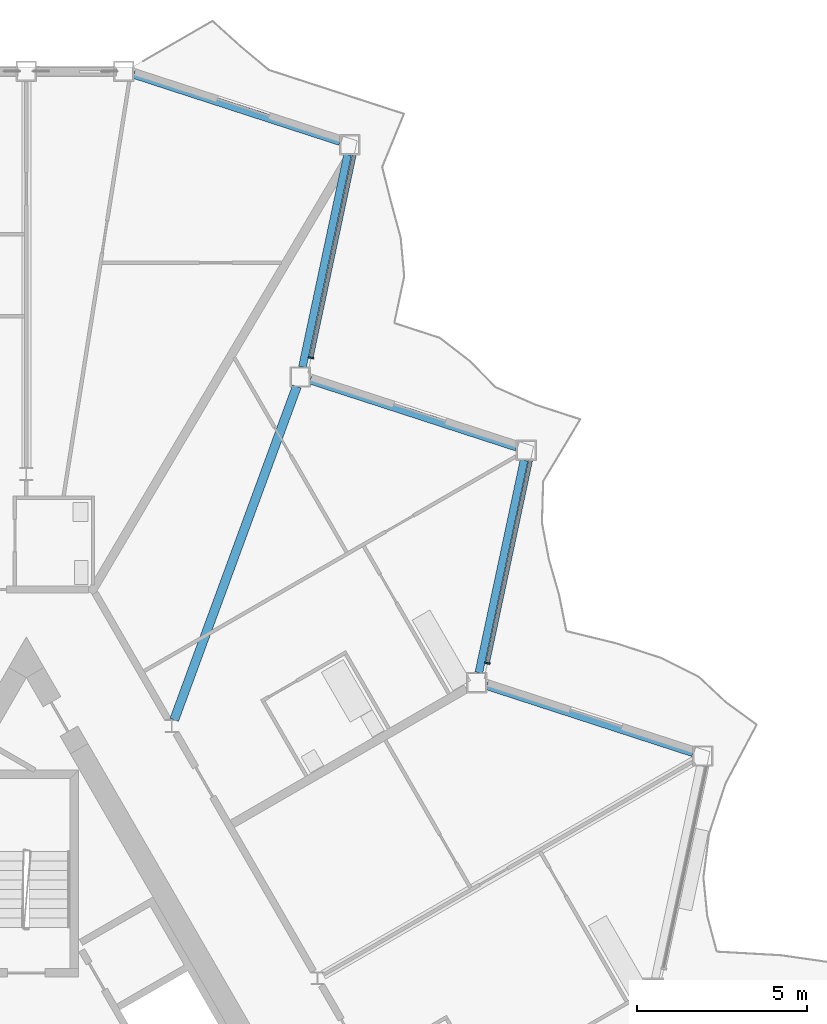
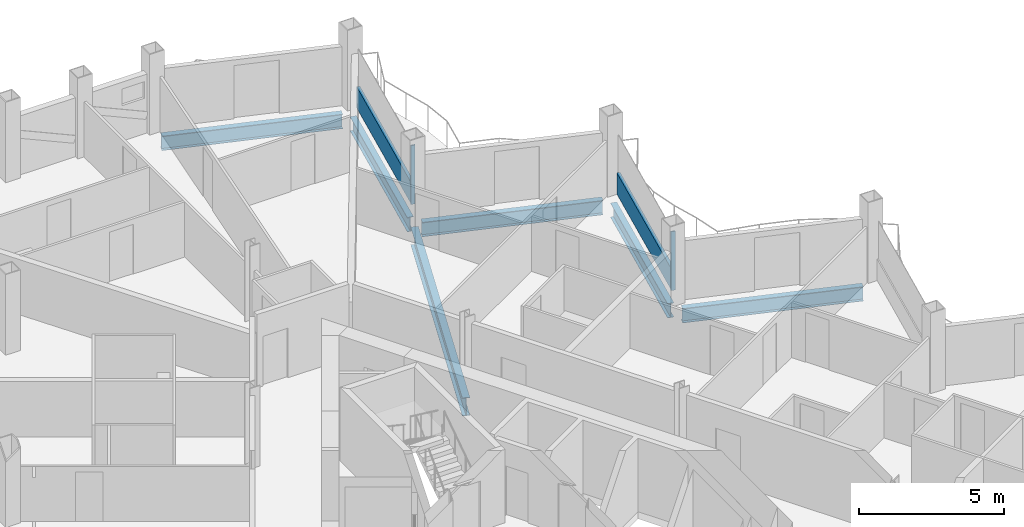
# One storey, part 11 of 27: 6 beams, 4 members, 2 elements without a shape of their own.
"""IFC4 building model written with IfcOpenShell, lengths in metres."""

from ifc_helpers import new_model, si_unit, direction, frame, origin, origin_2d, place, context, subcontext, project, spatial, rectangle, i_section, extrude, material, layer, layer_set, material_profile, profile_set, type_object, element, aggregate, save


model = new_model("IFC4")

# Units and contexts
model_context = context("Model", 3, precision=1e-05, world=origin(), true_north=direction((0.0, 1.0)))
body_context = subcontext(model_context, "Body", "Model", "MODEL_VIEW")
ifc_project = project(units=[si_unit("LENGTHUNIT", "METRE"), si_unit("AREAUNIT", "SQUARE_METRE"), si_unit("VOLUMEUNIT", "CUBIC_METRE"), si_unit("PLANEANGLEUNIT", "RADIAN"), si_unit("MASSUNIT", "GRAM", prefix="KILO")], contexts=[model_context])

# Site, building, storey
site_placement = place(None, origin())
site = spatial("IfcSite", under=ifc_project, at=site_placement, CompositionType="ELEMENT")
building_placement = place(site_placement, origin())
building = spatial("IfcBuilding", under=site, at=building_placement, Name="Cormorant Prow Tower", CompositionType="ELEMENT")
storey_placement = place(building_placement, frame((0.0, 0.0, 335.800048828125)))
storey = spatial("IfcBuildingStorey", under=building, at=storey_placement, Name="L75", CompositionType="ELEMENT", Elevation=335.800048828125)

# Beam
ifc_material_1 = material(Name="Structural steel ASTM A992 Gr 50", Category="steel")
ifc_material_profile_1 = material_profile(ifc_material_1, i_section(OverallWidth=0.267822265625, OverallDepth=0.77001953125, WebThickness=0.015625, FlangeThickness=0.025390625, at=origin_2d()), Name="W30x132")
ifc_profile_set_1 = profile_set([ifc_material_profile_1], Name="Structural steel ASTM A992 Gr 50")
beam_type_1 = type_object("IfcBeamType", Name="Radial floor beam W30x132", PredefinedType="BEAM", material=ifc_profile_set_1)
beam_1_placement = place(storey_placement, frame((4.357421875, 12.5673828125, -0.68505859375), z_axis=(0.345131226703, 0.938554439739, 0.0), x_axis=(-0.938554439739, 0.345131226703, 0.0)))
element("IfcBeam", 1, at=beam_1_placement, inside=storey, type_object=beam_type_1, Name="Radial floor beam FB3 12 L75", PredefinedType="BEAM", context=body_context, shape_type="SweptSolid", body=[
    extrude(i_section(OverallWidth=0.267822265625, OverallDepth=0.77001953125, WebThickness=0.015625, FlangeThickness=0.025390625, at=origin_2d()), origin(), (0.0, 0.0, 1.0), 10.465087890625),
])

# Curtain wall, member
ifc_material_2 = material(Name="Aluminium 6063-T6", Category="aluminium")
ifc_layer = layer(ifc_material_2, 0.159912109375)
ifc_layer_set = layer_set([ifc_layer], Name="Aluminium 6063-T6")
curtain_wall_type = type_object("IfcCurtainWallType", Name="Residential unitised curtain wall 160", PredefinedType="NOTDEFINED", material=ifc_layer_set)
curtain_wall_1_placement = place(storey_placement, origin())
curtain_wall_1 = element("IfcCurtainWall", 2, at=curtain_wall_1_placement, inside=storey, type_object=curtain_wall_type, Name="Residential curtain wall ENE06", PredefinedType="NOTDEFINED")
ifc_material_3 = material(Name="Aluminium 6063-T6", Category="aluminium")
ifc_material_profile_2 = material_profile(ifc_material_3, rectangle(XDim=0.159912109375, YDim=0.050048828125, at=origin_2d()), Name="Residential mullion 50x160")
ifc_profile_set_2 = profile_set([ifc_material_profile_2], Name="Aluminium 6063-T6")
member_type_1 = type_object("IfcMemberType", Name="Residential mullion 50x160", PredefinedType="MULLION", material=ifc_profile_set_2)
member_1_placement = place(storey_placement, frame((13.586181640625, 14.238037109375, 0.0), z_axis=(0.0, 0.0, 1.0), x_axis=(-0.978147592438, 0.207911729844, 0.0)))
member_1 = element("IfcMember", 3, at=member_1_placement, type_object=member_type_1, Name="Residential mullion ENE06", PredefinedType="MULLION", context=body_context, shape_type="SweptSolid", body=[
    extrude(rectangle(XDim=0.159912109375, YDim=0.050048828125, at=origin_2d()), origin(), (0.0, 0.0, 1.0), 2.48779296875),
])

curtain_wall_2_placement = place(storey_placement, origin())
curtain_wall_2 = element("IfcCurtainWall", 4, at=curtain_wall_2_placement, inside=storey, type_object=curtain_wall_type, Name="Residential curtain wall ENE08", PredefinedType="NOTDEFINED")
member_2_placement = place(storey_placement, frame((8.389892578125, 23.23828125, 0.0), z_axis=(0.0, 0.0, 1.0), x_axis=(-0.978147598618, 0.207911700771, 0.0)))
member_2 = element("IfcMember", 5, at=member_2_placement, type_object=member_type_1, Name="Residential mullion ENE08", PredefinedType="MULLION", context=body_context, shape_type="SweptSolid", body=[
    extrude(rectangle(XDim=0.159912109375, YDim=0.050048828125, at=origin_2d()), origin(), (0.0, 0.0, 1.0), 2.48779296875),
])

# Member
ifc_material_4 = material(Name="Terracotta", Category="masonry")
ifc_material_profile_3 = material_profile(ifc_material_4, rectangle(XDim=0.1201171875, YDim=0.89990234375, at=origin_2d()), Name="Residential terracotta spandrel rail 120x900")
ifc_profile_set_3 = profile_set([ifc_material_profile_3], Name="Terracotta")
member_type_2 = type_object("IfcMemberType", Name="Residential terracotta spandrel rail 120x900", PredefinedType="USERDEFINED", material=ifc_profile_set_3)
member_3_placement = place(storey_placement, frame((13.59130859375, 14.262451171875, 0.449951171875), z_axis=(0.207920286292, 0.97814577367, 0.0), x_axis=(-0.97814577367, 0.207920286292, 0.0)))
member_3 = element("IfcMember", 6, at=member_3_placement, type_object=member_type_2, Name="Residential spandrel rail ENE06", ObjectType="TRANSOM", PredefinedType="USERDEFINED", context=body_context, shape_type="SweptSolid", body=[
    extrude(rectangle(XDim=0.1201171875, YDim=0.89990234375, at=origin_2d()), origin(), (0.0, 0.0, 1.0), 6.07421875),
])

aggregate(curtain_wall_1, [member_1, member_3])

member_4_placement = place(storey_placement, frame((8.39501953125, 23.2626953125, 0.449951171875), z_axis=(0.207920286292, 0.97814577367, 0.0), x_axis=(-0.97814577367, 0.207920286292, 0.0)))
member_4 = element("IfcMember", 7, at=member_4_placement, type_object=member_type_2, Name="Residential spandrel rail ENE08", ObjectType="TRANSOM", PredefinedType="USERDEFINED", context=body_context, shape_type="SweptSolid", body=[
    extrude(rectangle(XDim=0.1201171875, YDim=0.89990234375, at=origin_2d()), origin(), (0.0, 0.0, 1.0), 6.07421875),
])

aggregate(curtain_wall_2, [member_2, member_4])

# Beams
ifc_material_5 = material(Name="Structural steel ASTM A992 Gr 50", Category="steel")
ifc_material_profile_4 = material_profile(ifc_material_5, i_section(OverallWidth=0.22900390625, OverallDepth=0.612060546875, WebThickness=0.011962890625, FlangeThickness=0.01953125, at=origin_2d()), Name="W24x84")
ifc_profile_set_4 = profile_set([ifc_material_profile_4], Name="Structural steel ASTM A992 Gr 50")
beam_type_2 = type_object("IfcBeamType", Name="Spandrel beam W24x84", PredefinedType="SPANDREL", material=ifc_profile_set_4)
for number, where, z_axis, x_axis, name in (
    (8, (19.640380859375, 11.5966796875, -0.606201171875), (-0.95105314132, 0.309027381286, 0.0), (-0.309027381286, -0.95105314132, 0.0), "Spandrel beam SB3 ENE05-ENE06 L75"),
    (9, (13.334228515625, 13.95947265625, -0.606201171875), (0.207920386839, 0.978145752297, 0.0), (-0.978145752297, 0.207920386839, 0.0), "Spandrel beam SB3 ENE06-ENE07 L75"),
    (10, (14.441162109375, 20.601806640625, -0.606201171875), (-0.95105314132, 0.309027381286, 0.0), (-0.309027381286, -0.95105314132, 0.0), "Spandrel beam SB3 ENE07-ENE08 L75"),
):
    element("IfcBeam", number, at=place(storey_placement, frame(where, z_axis=z_axis, x_axis=x_axis)), inside=storey, type_object=beam_type_2, Name=name, PredefinedType="SPANDREL", context=body_context, shape_type="SweptSolid", body=[
        extrude(i_section(OverallWidth=0.22900390625, OverallDepth=0.612060546875, WebThickness=0.011962890625, FlangeThickness=0.01953125, at=origin_2d()), origin(), (0.0, 0.0, 1.0), 6.39599609375),
    ])
beam_2_placement = place(storey_placement, frame((8.13525390625, 22.96435546875, -0.606201171875), z_axis=(0.20791262393, 0.978147402394, 0.0), x_axis=(-0.978147402394, 0.20791262393, 0.0)))
element("IfcBeam", 11, at=beam_2_placement, inside=storey, type_object=beam_type_2, Name="Spandrel beam SB3 ENE08-ENE09 L75", PredefinedType="SPANDREL", context=body_context, shape_type="SweptSolid", body=[
    extrude(i_section(OverallWidth=0.22900390625, OverallDepth=0.612060546875, WebThickness=0.011962890625, FlangeThickness=0.01953125, at=origin_2d()), origin(), (0.0, 0.0, 1.0), 6.396240234375),
])
beam_3_placement = place(storey_placement, frame((9.2421875, 29.60693359375, -0.606201171875), z_axis=(-0.951064359156, 0.308992855489, 0.0), x_axis=(-0.308992855489, -0.951064359156, 0.0)))
element("IfcBeam", 12, at=beam_3_placement, inside=storey, type_object=beam_type_2, Name="Spandrel beam SB3 ENE09-N00 L75", PredefinedType="SPANDREL", context=body_context, shape_type="SweptSolid", body=[
    extrude(i_section(OverallWidth=0.22900390625, OverallDepth=0.612060546875, WebThickness=0.011962890625, FlangeThickness=0.01953125, at=origin_2d()), origin(), (0.0, 0.0, 1.0), 6.39599609375),
])

save(model, "model.ifc")
